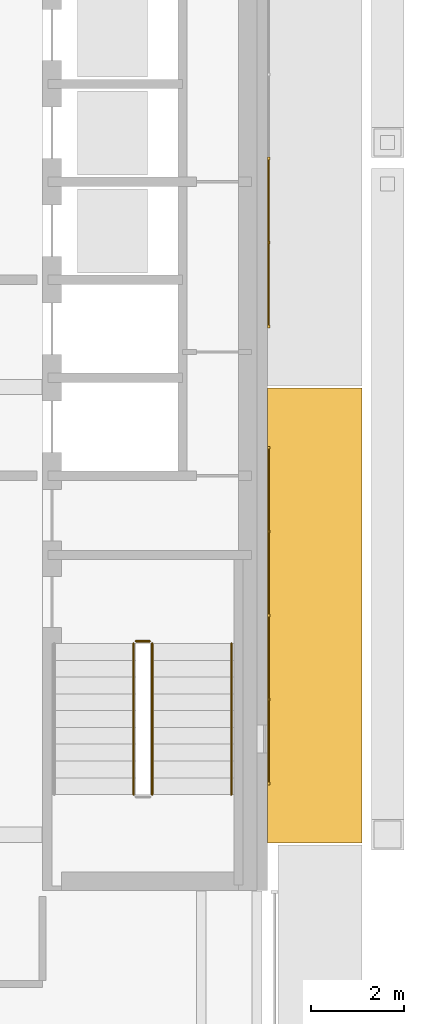
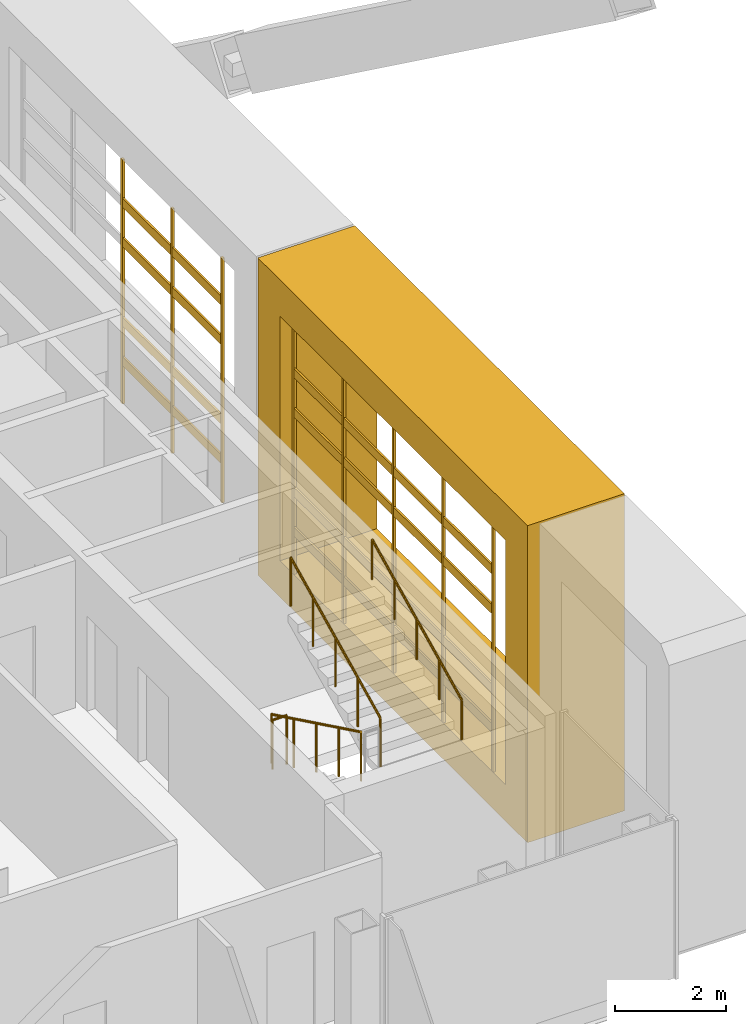
# One storey, part 20 of 23: 21 coverings, 4 railings.
"""IFC4 building model written with IfcOpenShell, lengths in metres."""

from ifc_helpers import new_model, si_unit, direction, frame, origin, origin_2d, place, context, subcontext, project, spatial, polyline, rectangle, circle, outline, extrude, material, type_object, element, save


model = new_model("IFC4")

# Units and contexts
model_context = context("Model", 3, precision=1e-05, world=origin(), true_north=direction((0.0, 1.0)))
body_context = subcontext(model_context, "Body", "Model", "MODEL_VIEW")
ifc_project = project(units=[si_unit("LENGTHUNIT", "METRE"), si_unit("AREAUNIT", "SQUARE_METRE"), si_unit("VOLUMEUNIT", "CUBIC_METRE"), si_unit("PLANEANGLEUNIT", "RADIAN"), si_unit("MASSUNIT", "GRAM", prefix="KILO")], contexts=[model_context])

# Site, building, storey
site_placement = place(None, origin())
site = spatial("IfcSite", under=ifc_project, at=site_placement, CompositionType="ELEMENT")
building_placement = place(site_placement, origin())
building = spatial("IfcBuilding", under=site, at=building_placement, Name="Cobrizo Arcos Hotel Tower", CompositionType="ELEMENT")
storey_placement = place(building_placement, frame((0.0, 0.0, 262.0)))
storey = spatial("IfcBuildingStorey", under=building, at=storey_placement, Name="L69", CompositionType="ELEMENT", Elevation=262.0)

# Coverings
ifc_material_1 = material(Name="Aluminium 6063-T6 anodised bronze", Category="aluminium")
covering_type_1 = type_object("IfcCoveringType", Name="FIN-F 2025", PredefinedType="CLADDING", material=ifc_material_1)
covering_placement = place(storey_placement, frame((20.625, -9.77490234375, 0.0), z_axis=(1.0, 0.0, 0.0), x_axis=(0.0, 1.0, 0.0)))
element("IfcCovering", 1, at=covering_placement, inside=storey, type_object=covering_type_1, Name="Fin frame 392", PredefinedType="CLADDING", context=body_context, shape_type="SweptSolid", body=[
    extrude(outline(polyline([(0.0, 7.0), (0.0, 0.0), (9.75, 0.0), (9.75, 7.0), (0.0, 7.0)]), holes=[polyline([(8.949951171875, 0.800048828125), (0.800048828125, 0.800048828125), (0.800048828125, 6.199951171875), (8.949951171875, 6.199951171875), (8.949951171875, 0.800048828125)])]), origin(), (0.0, 0.0, 1.0), 2.02490234375),
])
ifc_material_2 = material(Name="Aluminium 6063-T6 anodised pale", Category="aluminium")
covering_type_2 = type_object("IfcCoveringType", Name="RS-2 rainscreen rib 60x50", PredefinedType="CLADDING", material=ifc_material_2)
for number, where, z_axis, x_axis, name in (
    (2, (20.64990234375, -8.5, 0.800048828125), (0.0, 0.0, 1.0), (0.0, 1.0, 0.0), "Rainscreen rib 271"),
    (3, (20.64990234375, -6.699951171875, 0.800048828125), (0.0, 0.0, 1.0), (0.0, 1.0, 0.0), "Rainscreen rib 272"),
    (4, (20.64990234375, -4.89990234375, 0.800048828125), (0.0, 0.0, 1.0), (0.0, 1.0, 0.0), "Rainscreen rib 273"),
    (5, (20.64990234375, -3.10009765625, 0.800048828125), (0.0, 0.0, 1.0), (0.0, 1.0, 0.0), "Rainscreen rib 274"),
    (6, (20.64990234375, -1.300048828125, 0.800048828125), (0.0, 0.0, 1.0), (0.0, 1.0, 0.0), "Rainscreen rib 275"),
    (7, (20.64990234375, 1.300048828125, 0.800048828125), (0.0, 0.0, 1.0), (0.0, 1.0, 0.0), "Rainscreen rib 276"),
    (8, (20.64990234375, 3.10009765625, 0.800048828125), (0.0, 0.0, 1.0), (0.0, 1.0, 0.0), "Rainscreen rib 277"),
    (9, (20.64990234375, 4.89990234375, 0.800048828125), (0.0, 0.0, 1.0), (0.0, 1.0, 0.0), "Rainscreen rib 278"),
):
    element("IfcCovering", number, at=place(storey_placement, frame(where, z_axis=z_axis, x_axis=x_axis)), inside=storey, type_object=covering_type_2, Name=name, PredefinedType="CLADDING", context=body_context, shape_type="SweptSolid", body=[
        extrude(rectangle(XDim=0.06005859375, YDim=0.050048828125, at=origin_2d()), origin(), (0.0, 0.0, 1.0), 5.39990234375),
    ])
covering_type_3 = type_object("IfcCoveringType", Name="RS-3 rainscreen louvre slat 200x40", PredefinedType="CLADDING", material=ifc_material_2)
for number, where, z_axis, x_axis, name in (
    (10, (20.64501953125, -6.699951171875, 1.64990234375), (0.0, 0.0, 1.0), (0.0, 1.0, 0.0), "Rainscreen slat 101"),
    (11, (20.64501953125, -6.699951171875, 2.52490234375), (0.0, 0.0, 1.0), (0.0, 1.0, 0.0), "Rainscreen slat 102"),
    (12, (20.64501953125, -3.10009765625, 1.64990234375), (0.0, 0.0, 1.0), (0.0, 1.0, 0.0), "Rainscreen slat 103"),
    (13, (20.64501953125, -3.10009765625, 2.52490234375), (0.0, 0.0, 1.0), (0.0, 1.0, 0.0), "Rainscreen slat 104"),
    (14, (20.64501953125, -6.699951171875, 4.27490234375), (0.0, 0.0, 1.0), (0.0, 1.0, 0.0), "Rainscreen slat 105"),
    (15, (20.64501953125, -6.699951171875, 5.14990234375), (0.0, 0.0, 1.0), (0.0, 1.0, 0.0), "Rainscreen slat 106"),
    (16, (20.64501953125, -3.10009765625, 4.27490234375), (0.0, 0.0, 1.0), (0.0, 1.0, 0.0), "Rainscreen slat 107"),
    (17, (20.64501953125, -3.10009765625, 5.14990234375), (0.0, 0.0, 1.0), (0.0, 1.0, 0.0), "Rainscreen slat 108"),
    (18, (20.64501953125, 3.10009765625, 1.64990234375), (0.0, 0.0, 1.0), (0.0, 1.0, 0.0), "Rainscreen slat 109"),
    (19, (20.64501953125, 3.10009765625, 2.52490234375), (0.0, 0.0, 1.0), (0.0, 1.0, 0.0), "Rainscreen slat 110"),
    (20, (20.64501953125, 3.10009765625, 4.27490234375), (0.0, 0.0, 1.0), (0.0, 1.0, 0.0), "Rainscreen slat 113"),
    (21, (20.64501953125, 3.10009765625, 5.14990234375), (0.0, 0.0, 1.0), (0.0, 1.0, 0.0), "Rainscreen slat 114"),
):
    element("IfcCovering", number, at=place(storey_placement, frame(where, z_axis=z_axis, x_axis=x_axis)), inside=storey, type_object=covering_type_3, Name=name, PredefinedType="CLADDING", context=body_context, shape_type="SweptSolid", body=[
        extrude(rectangle(XDim=3.5400390625, YDim=0.0400390625, at=origin_2d()), origin(), (0.0, 0.0, 1.0), 0.199951171875),
    ])

# Railings
ifc_material_3 = material(Name="Stainless steel railing", Category="steel")
railing_type_1 = type_object("IfcRailingType", Name="Stair guard 1100", PredefinedType="GUARDRAIL", material=ifc_material_3)
railing_1_placement = place(storey_placement, frame((17.75, -5.5, 0.175048828125)))
element("IfcRailing", 22, at=railing_1_placement, inside=storey, type_object=railing_type_1, Name="L69 ST-E stair guard 1", PredefinedType="GUARDRAIL", context=body_context, shape_type="SweptSolid", body=[
    extrude(circle(Radius=0.02392578125, at=origin_2d()), frame((0.0, 0.0, 1.076171875), z_axis=(0.0, -0.899372665325, 0.437182809435), x_axis=(1.0, 0.0, 0.0)), (0.0, 0.0, 1.0), 3.6025390625),
    extrude(circle(Radius=0.02099609375, at=origin_2d()), origin(), (0.0, 0.0, 1.0), 1.052001953125),
    extrude(circle(Radius=0.02099609375, at=origin_2d()), frame((0.0, -0.81005859375, 0.393798828125)), (0.0, 0.0, 1.0), 1.052001953125),
    extrude(circle(Radius=0.02099609375, at=origin_2d()), frame((0.0, -1.6201171875, 0.78759765625)), (0.0, 0.0, 1.0), 1.052001953125),
    extrude(circle(Radius=0.02099609375, at=origin_2d()), frame((0.0, -2.429931640625, 1.18115234375)), (0.0, 0.0, 1.0), 1.052001953125),
    extrude(circle(Radius=0.02099609375, at=origin_2d()), frame((0.0, -3.239990234375, 1.574951171875)), (0.0, 0.0, 1.0), 1.052001953125),
])
railing_2_placement = place(storey_placement, frame((18.14990234375, -8.739990234375, 1.925048828125)))
element("IfcRailing", 23, at=railing_2_placement, inside=storey, type_object=railing_type_1, Name="L69 ST-E stair guard 3", PredefinedType="GUARDRAIL", context=body_context, shape_type="SweptSolid", body=[
    extrude(circle(Radius=0.02392578125, at=origin_2d()), frame((0.0, 0.0, 1.076171875), z_axis=(0.0, 0.899372665325, 0.437182809435), x_axis=(-1.0, 0.0, 0.0)), (0.0, 0.0, 1.0), 3.6025390625),
    extrude(circle(Radius=0.02099609375, at=origin_2d()), origin(), (0.0, 0.0, 1.0), 1.052001953125),
    extrude(circle(Radius=0.02099609375, at=origin_2d()), frame((0.0, 0.81005859375, 0.393798828125)), (0.0, 0.0, 1.0), 1.052001953125),
    extrude(circle(Radius=0.02099609375, at=origin_2d()), frame((0.0, 1.6201171875, 0.78759765625)), (0.0, 0.0, 1.0), 1.052001953125),
    extrude(circle(Radius=0.02099609375, at=origin_2d()), frame((0.0, 2.429931640625, 1.18115234375)), (0.0, 0.0, 1.0), 1.052001953125),
    extrude(circle(Radius=0.02099609375, at=origin_2d()), frame((0.0, 3.239990234375, 1.574951171875)), (0.0, 0.0, 1.0), 1.052001953125),
])
railing_3_placement = place(storey_placement, frame((17.800048828125, -5.449951171875, 0.0)))
element("IfcRailing", 24, at=railing_3_placement, inside=storey, type_object=railing_type_1, Name="L69 ST-E stair guard 4", PredefinedType="GUARDRAIL", context=body_context, shape_type="SweptSolid", body=[
    extrude(circle(Radius=0.02392578125, at=origin_2d()), frame((0.0, 0.0, 1.076171875), z_axis=(1.0, 0.0, 0.0), x_axis=(0.0, 1.0, 0.0)), (0.0, 0.0, 1.0), 0.300048828125),
    extrude(circle(Radius=0.02099609375, at=origin_2d()), origin(), (0.0, 0.0, 1.0), 1.052001953125),
    extrude(circle(Radius=0.02099609375, at=origin_2d()), frame((0.300048828125, 0.0, 0.0)), (0.0, 0.0, 1.0), 1.052001953125),
])
railing_type_2 = type_object("IfcRailingType", Name="Stair handrail", PredefinedType="HANDRAIL", material=ifc_material_3)
railing_4_placement = place(storey_placement, frame((19.85009765625, -8.739990234375, 1.925048828125)))
element("IfcRailing", 25, at=railing_4_placement, inside=storey, type_object=railing_type_2, Name="L69 ST-E stair handrail 2", PredefinedType="HANDRAIL", context=body_context, shape_type="SweptSolid", body=[
    extrude(circle(Radius=0.02392578125, at=origin_2d()), frame((0.0, 0.0, 0.8759765625), z_axis=(0.0, 0.899372665325, 0.437182809435), x_axis=(-1.0, 0.0, 0.0)), (0.0, 0.0, 1.0), 3.6025390625),
    extrude(circle(Radius=0.02099609375, at=origin_2d()), origin(), (0.0, 0.0, 1.0), 0.851806640625),
    extrude(circle(Radius=0.02099609375, at=origin_2d()), frame((0.0, 0.81005859375, 0.393798828125)), (0.0, 0.0, 1.0), 0.851806640625),
    extrude(circle(Radius=0.02099609375, at=origin_2d()), frame((0.0, 1.6201171875, 0.78759765625)), (0.0, 0.0, 1.0), 0.851806640625),
    extrude(circle(Radius=0.02099609375, at=origin_2d()), frame((0.0, 2.429931640625, 1.18115234375)), (0.0, 0.0, 1.0), 0.851806640625),
    extrude(circle(Radius=0.02099609375, at=origin_2d()), frame((0.0, 3.239990234375, 1.574951171875)), (0.0, 0.0, 1.0), 0.851806640625),
])

save(model, "model.ifc")
